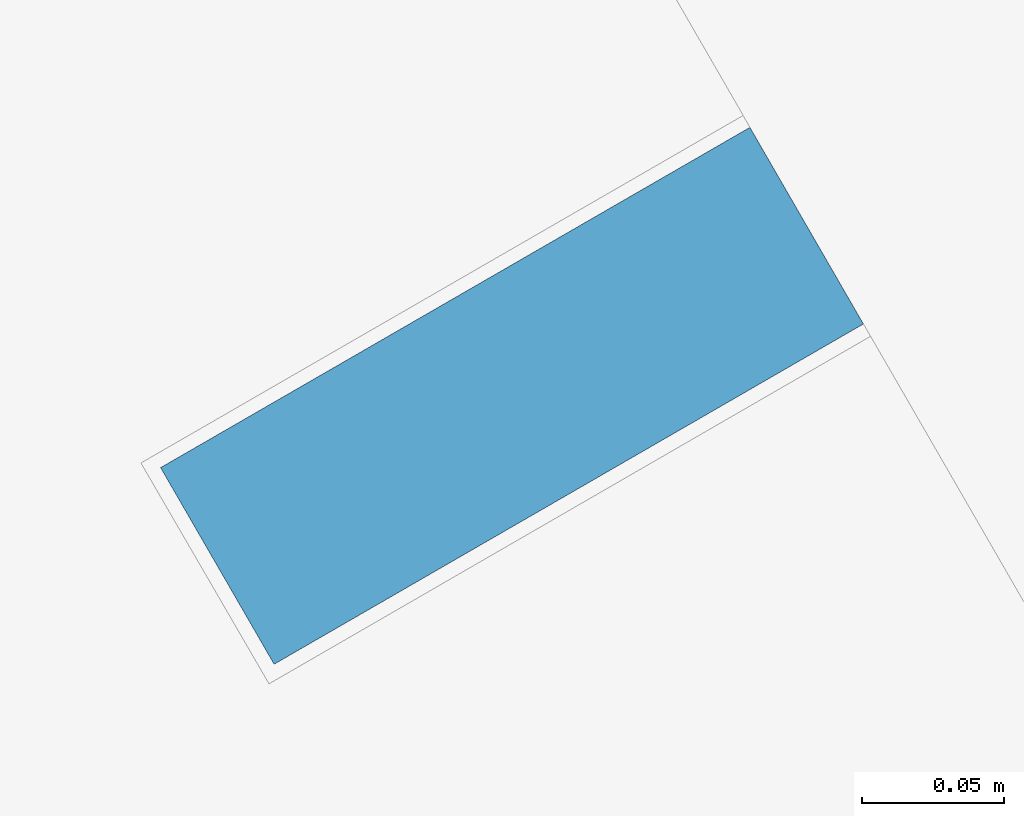
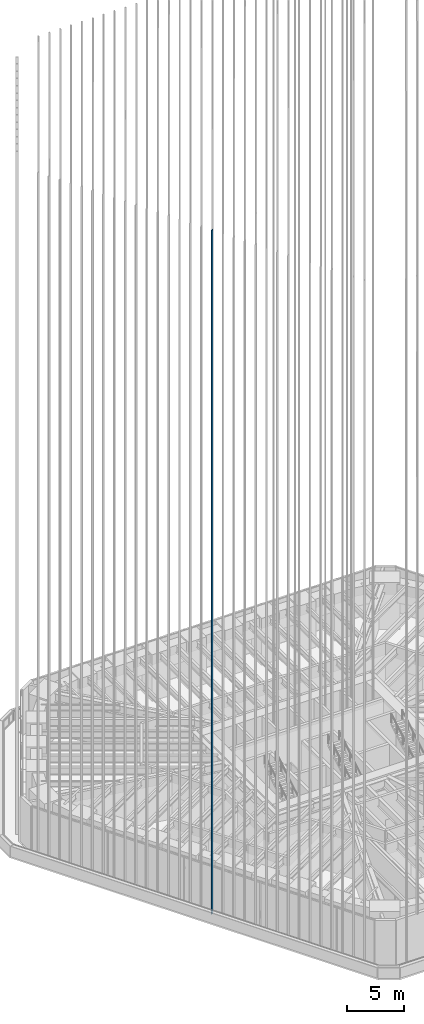
# One storey, part 44 of 228: 1 member, 1 element without a shape of its own.
"""IFC4 building model written with IfcOpenShell, lengths in metres."""

from ifc_helpers import new_model, si_unit, direction, frame, origin, origin_2d, place, context, subcontext, project, spatial, rectangle, extrude, material, material_profile, profile_set, type_object, element, aggregate, save


model = new_model("IFC4")

# Units and contexts
model_context = context("Model", 3, precision=1e-05, world=origin(), true_north=direction((0.0, 1.0)))
body_context = subcontext(model_context, "Body", "Model", "MODEL_VIEW")
ifc_project = project(units=[si_unit("LENGTHUNIT", "METRE"), si_unit("AREAUNIT", "SQUARE_METRE"), si_unit("VOLUMEUNIT", "CUBIC_METRE"), si_unit("PLANEANGLEUNIT", "RADIAN"), si_unit("MASSUNIT", "GRAM", prefix="KILO")], contexts=[model_context])

# Site, building, storey
site_placement = place(None, origin())
site = spatial("IfcSite", under=ifc_project, at=site_placement, CompositionType="ELEMENT")
building_placement = place(site_placement, origin())
building = spatial("IfcBuilding", under=site, at=building_placement, Name="Sandreach Pilgrim Tower", CompositionType="ELEMENT")
storey_placement = place(building_placement, frame((0.0, 0.0, 178.199951171875)))
storey = spatial("IfcBuildingStorey", under=building, at=storey_placement, Name="L44", CompositionType="ELEMENT", Elevation=178.199951171875)

# Curtain wall, member
ifc_material_1 = material(Name="Aluminium framed curtain wall", Category="aluminium")
curtain_wall_type = type_object("IfcCurtainWallType", Name="Upper hotel tower curtain wall", PredefinedType="NOTDEFINED", material=ifc_material_1)
curtain_wall_placement = place(storey_placement, origin())
curtain_wall = element("IfcCurtainWall", 1, at=curtain_wall_placement, inside=storey, type_object=curtain_wall_type, Name="CW-3 L44 SW", PredefinedType="NOTDEFINED")
ifc_material_2 = material(Name="Extruded terracotta on aluminium core", Category="masonry")
ifc_material_profile = material_profile(ifc_material_2, rectangle(XDim=0.080078125, YDim=0.239990234375, at=origin_2d()), Name="TBW 80X240")
ifc_profile_set = profile_set([ifc_material_profile], Name="Extruded terracotta on aluminium core")
member_type = type_object("IfcMemberType", Name="Terracotta baguette west", PredefinedType="USERDEFINED", material=ifc_profile_set)
member_placement = place(storey_placement, frame((-18.137939453125, -11.744384765625, 0.0), z_axis=(0.0, 0.0, 1.0), x_axis=(-0.5, 0.866025403784, 0.0)))
member = element("IfcMember", 2, at=member_placement, type_object=member_type, Name="Baguette Z3 SW15", ObjectType="BAGUETTE", PredefinedType="USERDEFINED", context=body_context, shape_type="SweptSolid", body=[
    extrude(rectangle(XDim=0.080078125, YDim=0.239990234375, at=origin_2d()), origin(), (0.0, 0.0, 1.0), 73.239990234375),
])
aggregate(curtain_wall, [member])

save(model, "model.ifc")
